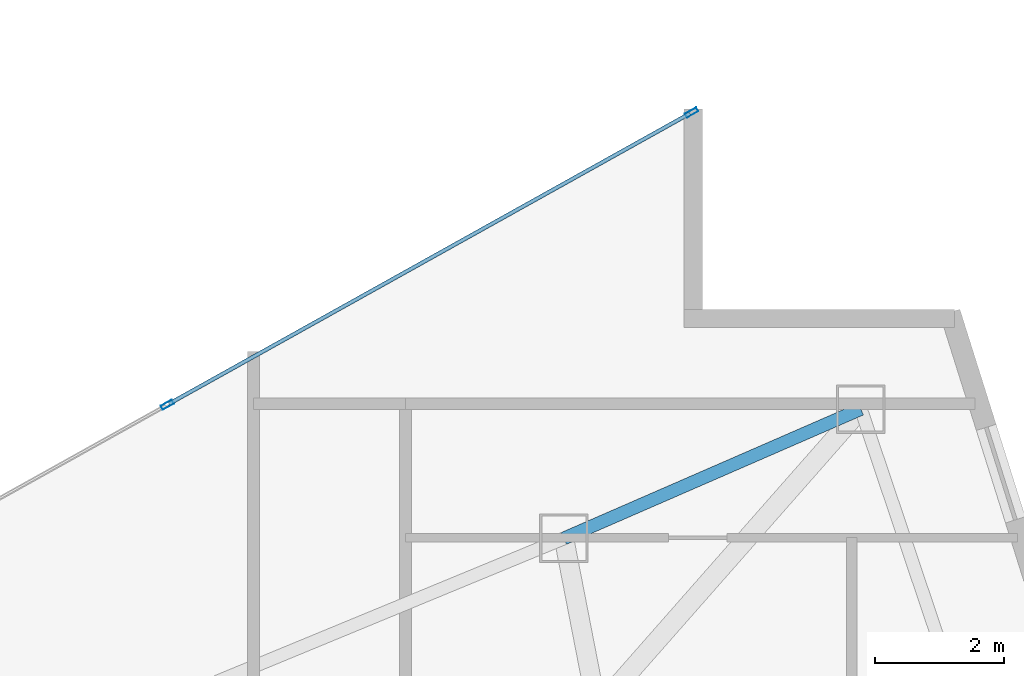
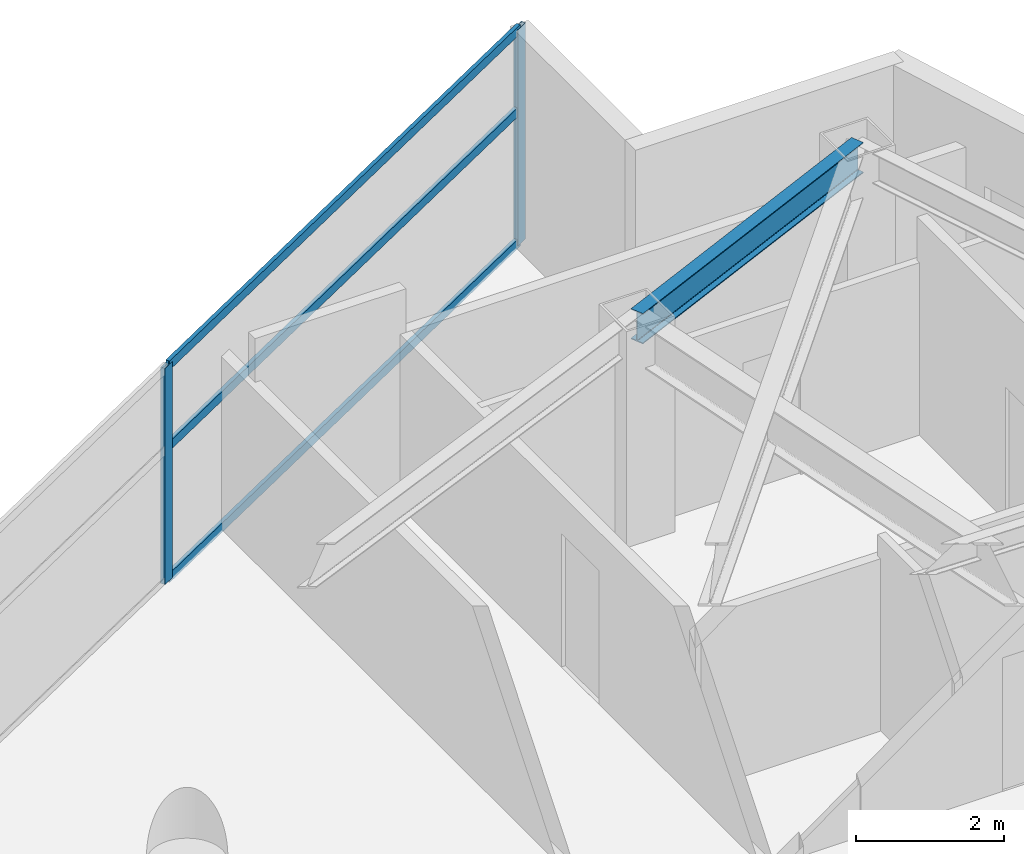
# One storey, part 20 of 28: 5 members, 1 beam, 1 element without a shape of its own.
"""IFC4 building model written with IfcOpenShell, lengths in metres."""

from ifc_helpers import new_model, si_unit, direction, frame, origin, origin_2d, place, context, subcontext, project, spatial, hollow_rectangle, i_section, extrude, material, layer, layer_set, material_profile, profile_set, type_object, element, aggregate, save


model = new_model("IFC4")

# Units and contexts
model_context = context("Model", 3, precision=1e-05, world=origin(), true_north=direction((0.0, 1.0)))
body_context = subcontext(model_context, "Body", "Model", "MODEL_VIEW")
ifc_project = project(units=[si_unit("LENGTHUNIT", "METRE"), si_unit("AREAUNIT", "SQUARE_METRE"), si_unit("VOLUMEUNIT", "CUBIC_METRE"), si_unit("PLANEANGLEUNIT", "RADIAN"), si_unit("MASSUNIT", "GRAM", prefix="KILO")], contexts=[model_context])

# Site, building, storey
site_placement = place(None, origin())
site = spatial("IfcSite", under=ifc_project, at=site_placement, CompositionType="ELEMENT")
building_placement = place(site_placement, origin())
building = spatial("IfcBuilding", under=site, at=building_placement, Name="Calvorn Quay Hotel", CompositionType="ELEMENT")
storey_placement = place(building_placement, frame((0.0, 0.0, 127.800048828125)))
storey = spatial("IfcBuildingStorey", under=building, at=storey_placement, Name="L31", CompositionType="ELEMENT", Elevation=127.800048828125)

# Beam
ifc_material_1 = material(Name="Steel Q355B", Category="steel")
ifc_material_profile_1 = material_profile(ifc_material_1, i_section(OverallWidth=0.199951171875, OverallDepth=0.5, WebThickness=0.010009765625, FlangeThickness=0.01611328125, FilletRadius=0.01611328125, at=origin_2d()), Name="HN500x200x10x16")
ifc_profile_set_1 = profile_set([ifc_material_profile_1], Name="Steel Q355B")
beam_type = type_object("IfcBeamType", Name="BM-SPANDREL-Z1", PredefinedType="SPANDREL", material=ifc_profile_set_1)
beam_placement = place(storey_placement, frame((48.591064453125, 33.39990234375, 3.2900390625), z_axis=(-0.916786146489, -0.399378469132, 0.0), x_axis=(0.399378469132, -0.916786146489, 0.0)))
element("IfcBeam", 1, at=beam_placement, inside=storey, type_object=beam_type, Name="Beam BSP-L31-E3", PredefinedType="SPANDREL", context=body_context, shape_type="SweptSolid", body=[
    extrude(i_section(OverallWidth=0.199951171875, OverallDepth=0.5, WebThickness=0.010009765625, FlangeThickness=0.01611328125, FilletRadius=0.01611328125, at=origin_2d()), origin(), (0.0, 0.0, 1.0), 5.0078125),
])

# Curtain wall, members
ifc_material_2 = material(Name="Pale Anodised Aluminium and Low-E Glass", Category="aluminium")
ifc_layer = layer(ifc_material_2, 0.219970703125)
ifc_layer_set = layer_set([ifc_layer], Name="CW-SYS-Z2")
curtain_wall_type = type_object("IfcCurtainWallType", Name="CW-SYS-Z2", PredefinedType="NOTDEFINED", material=ifc_layer_set)
curtain_wall_placement = place(storey_placement, origin())
curtain_wall = element("IfcCurtainWall", 2, at=curtain_wall_placement, inside=storey, type_object=curtain_wall_type, Name="Inner Court Curtain Wall L31-NE1", PredefinedType="NOTDEFINED")
ifc_material_3 = material(Name="Pale Anodised Aluminium 6063-T6", Category="aluminium")
ifc_material_profile_2 = material_profile(ifc_material_3, hollow_rectangle(XDim=0.070068359375, YDim=0.199951171875, WallThickness=0.00390625, at=origin_2d()), Name="ALU-M200x70x4")
ifc_profile_set_2 = profile_set([ifc_material_profile_2], Name="Pale Anodised Aluminium 6063-T6")
member_type_1 = type_object("IfcMemberType", Name="CW-SYS-Z2-MUL", PredefinedType="MULLION", material=ifc_profile_set_2)
member_1_placement = place(storey_placement, frame((45.973876953125, 37.9853515625, 0.0), z_axis=(0.0, 0.0, 1.0), x_axis=(0.486858256224, -0.873480989116, 0.0)))
member_1 = element("IfcMember", 3, at=member_1_placement, type_object=member_type_1, Name="CW-L31-NE1 mullion 1", PredefinedType="MULLION", context=body_context, shape_type="SweptSolid", body=[
    extrude(hollow_rectangle(XDim=0.070068359375, YDim=0.199951171875, WallThickness=0.00390625, at=origin_2d()), origin(), (0.0, 0.0, 1.0), 3.56005859375),
])
member_2_placement = place(storey_placement, frame((37.86669921875, 33.466552734375, 0.0), z_axis=(0.0, 0.0, 1.0), x_axis=(0.486858256224, -0.873480989116, 0.0)))
member_2 = element("IfcMember", 4, at=member_2_placement, type_object=member_type_1, Name="CW-L31-NE1 mullion 2", PredefinedType="MULLION", context=body_context, shape_type="SweptSolid", body=[
    extrude(hollow_rectangle(XDim=0.070068359375, YDim=0.199951171875, WallThickness=0.00390625, at=origin_2d()), origin(), (0.0, 0.0, 1.0), 3.56005859375),
])
ifc_material_4 = material(Name="Pale Anodised Aluminium 6063-T6", Category="aluminium")
ifc_material_profile_3 = material_profile(ifc_material_4, hollow_rectangle(XDim=0.06005859375, YDim=0.14990234375, WallThickness=0.00341796875, at=origin_2d()), Name="ALU-T150x60x3.5")
ifc_profile_set_3 = profile_set([ifc_material_profile_3], Name="Pale Anodised Aluminium 6063-T6")
member_type_2 = type_object("IfcMemberType", Name="CW-SYS-Z2-TRN", PredefinedType="USERDEFINED", material=ifc_profile_set_3)
member_3_placement = place(storey_placement, frame((45.947509765625, 37.970703125, 0.030029296875), z_axis=(-0.87348080454, -0.486858587375, 0.0), x_axis=(0.486858587375, -0.87348080454, 0.0)))
member_3 = element("IfcMember", 5, at=member_3_placement, type_object=member_type_2, Name="CW-L31-NE1 transom 1.1", ObjectType="TRANSOM", PredefinedType="USERDEFINED", context=body_context, shape_type="SweptSolid", body=[
    extrude(hollow_rectangle(XDim=0.06005859375, YDim=0.14990234375, WallThickness=0.00341796875, at=origin_2d()), origin(), (0.0, 0.0, 1.0), 9.221435546875),
])
member_4_placement = place(storey_placement, frame((45.947509765625, 37.970703125, 2.199951171875), z_axis=(-0.87348080454, -0.486858587375, 0.0), x_axis=(0.486858587375, -0.87348080454, 0.0)))
member_4 = element("IfcMember", 6, at=member_4_placement, type_object=member_type_2, Name="CW-L31-NE1 transom 1.2", ObjectType="TRANSOM", PredefinedType="USERDEFINED", context=body_context, shape_type="SweptSolid", body=[
    extrude(hollow_rectangle(XDim=0.06005859375, YDim=0.14990234375, WallThickness=0.00341796875, at=origin_2d()), origin(), (0.0, 0.0, 1.0), 9.221435546875),
])
member_5_placement = place(storey_placement, frame((45.947509765625, 37.970703125, 3.530029296875), z_axis=(-0.87348080454, -0.486858587375, 0.0), x_axis=(0.486858587375, -0.87348080454, 0.0)))
member_5 = element("IfcMember", 7, at=member_5_placement, type_object=member_type_2, Name="CW-L31-NE1 transom 1.3", ObjectType="TRANSOM", PredefinedType="USERDEFINED", context=body_context, shape_type="SweptSolid", body=[
    extrude(hollow_rectangle(XDim=0.06005859375, YDim=0.14990234375, WallThickness=0.00341796875, at=origin_2d()), origin(), (0.0, 0.0, 1.0), 9.221435546875),
])
aggregate(curtain_wall, [member_1, member_2, member_3, member_4, member_5])

save(model, "model.ifc")
